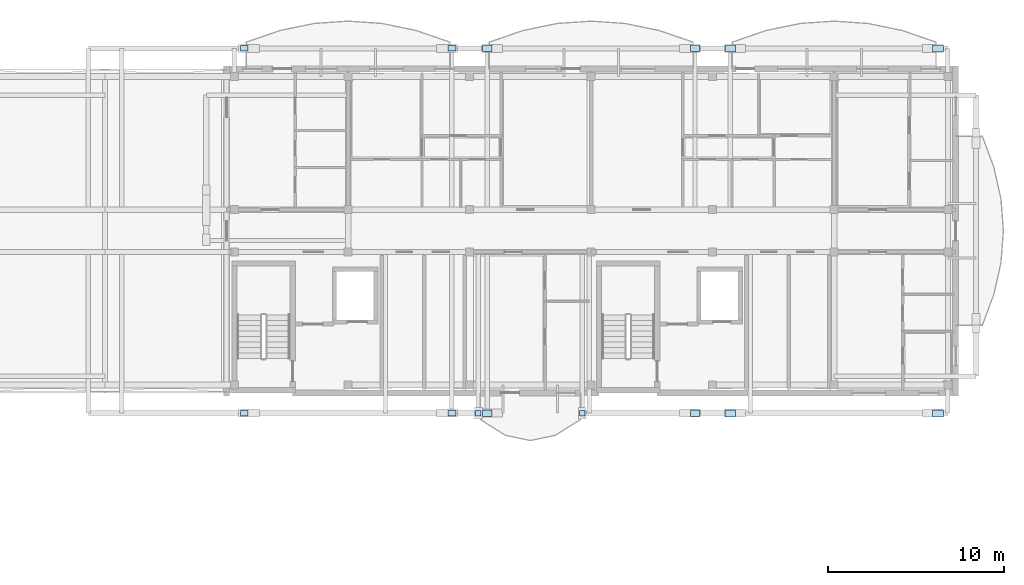
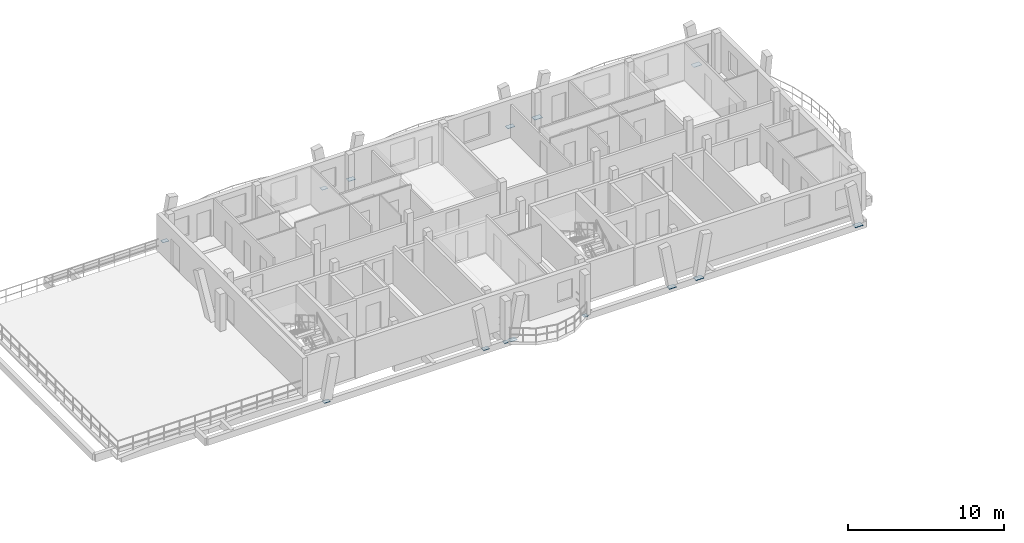
# One storey, part 13 of 44: 14 plates.
"""IFC4 building model written with IfcOpenShell, lengths in metres."""

from ifc_helpers import new_model, si_unit, direction, frame, origin, origin_2d, place, context, subcontext, project, spatial, rectangle, extrude, material, layer, layer_set, type_object, element, save


model = new_model("IFC4")

# Units and contexts
model_context = context("Model", 3, precision=1e-05, world=origin(), true_north=direction((0.0, 1.0)))
body_context = subcontext(model_context, "Body", "Model", "MODEL_VIEW")
ifc_project = project(units=[si_unit("LENGTHUNIT", "METRE"), si_unit("AREAUNIT", "SQUARE_METRE"), si_unit("VOLUMEUNIT", "CUBIC_METRE"), si_unit("PLANEANGLEUNIT", "RADIAN"), si_unit("MASSUNIT", "GRAM", prefix="KILO")], contexts=[model_context])

# Site, building, storey
site_placement = place(None, origin())
site = spatial("IfcSite", under=ifc_project, at=site_placement, CompositionType="ELEMENT")
building_placement = place(site_placement, origin())
building = spatial("IfcBuilding", under=site, at=building_placement, Name="Zavelmont Quarter", CompositionType="ELEMENT")
storey_placement = place(building_placement, frame((0.0, 0.0, 20.800048828125)))
storey = spatial("IfcBuildingStorey", under=building, at=storey_placement, Name="L06", CompositionType="ELEMENT", Elevation=20.800048828125)

# Plates
ifc_material = material(Name="Steel S355", Category="steel")
ifc_layer_1 = layer(ifc_material, 0.02490234375)
ifc_layer_set_1 = layer_set([ifc_layer_1], Name="Steel S355")
plate_type_1 = type_object("IfcPlateType", Name="NP03", PredefinedType="SHEET", material=ifc_layer_set_1)
for number, where, z_axis, x_axis, name in (
    (1, (127.60400390625, 117.162109375, -0.21240234375), (0.0, 0.0, 1.0), (1.0, 0.0, 0.0), "L06 steel connection plate NP03 at 19/S"),
    (2, (139.39599609375, 117.162109375, -0.21240234375), (0.0, 0.0, 1.0), (1.0, 0.0, 0.0), "L06 steel connection plate NP03 at 21/S"),
    (3, (127.60400390625, 96.43798828125, -0.21240234375), (0.0, 0.0, 1.0), (1.0, 0.0, 0.0), "L06 steel connection plate NP03 at 19/P"),
    (4, (139.39599609375, 96.43798828125, -0.21240234375), (0.0, 0.0, 1.0), (1.0, 0.0, 0.0), "L06 steel connection plate NP03 at 21/P"),
):
    element("IfcPlate", number, at=place(storey_placement, frame(where, z_axis=z_axis, x_axis=x_axis)), inside=storey, type_object=plate_type_1, Name=name, PredefinedType="SHEET", context=body_context, shape_type="SweptSolid", body=[
        extrude(rectangle(XDim=0.43994140625, YDim=0.320068359375, at=origin_2d()), origin(), (0.0, 0.0, 1.0), 0.02490234375),
    ])
ifc_layer_2 = layer(ifc_material, 0.028076171875)
ifc_layer_set_2 = layer_set([ifc_layer_2], Name="Steel S355")
plate_type_2 = type_object("IfcPlateType", Name="NP04", PredefinedType="SHEET", material=ifc_layer_set_2)
for number, where, z_axis, x_axis, name in (
    (5, (141.40380859375, 117.162109375, -0.2138671875), (0.0, 0.0, 1.0), (1.0, 0.0, 0.0), "L06 steel connection plate NP04 at 21/S"),
    (6, (153.196044921875, 117.162109375, -0.2138671875), (0.0, 0.0, 1.0), (1.0, 0.0, 0.0), "L06 steel connection plate NP04 at 23/S"),
    (7, (141.40380859375, 96.43798828125, -0.2138671875), (0.0, 0.0, 1.0), (1.0, 0.0, 0.0), "L06 steel connection plate NP04 at 21/P"),
    (8, (153.196044921875, 96.43798828125, -0.2138671875), (0.0, 0.0, 1.0), (1.0, 0.0, 0.0), "L06 steel connection plate NP04 at 23/P"),
):
    element("IfcPlate", number, at=place(storey_placement, frame(where, z_axis=z_axis, x_axis=x_axis)), inside=storey, type_object=plate_type_2, Name=name, PredefinedType="SHEET", context=body_context, shape_type="SweptSolid", body=[
        extrude(rectangle(XDim=0.52001953125, YDim=0.360107421875, at=origin_2d()), origin(), (0.0, 0.0, 1.0), 0.028076171875),
    ])
ifc_layer_3 = layer(ifc_material, 0.030029296875)
ifc_layer_set_3 = layer_set([ifc_layer_3], Name="Steel S355")
plate_type_3 = type_object("IfcPlateType", Name="NP05", PredefinedType="SHEET", material=ifc_layer_set_3)
for number, where, z_axis, x_axis, name in (
    (9, (155.203857421875, 117.162109375, -0.21484375), (0.0, 0.0, 1.0), (1.0, 0.0, 0.0), "L06 steel connection plate NP05 at 23/S"),
    (10, (166.99609375, 117.162109375, -0.21484375), (0.0, 0.0, 1.0), (1.0, 0.0, 0.0), "L06 steel connection plate NP05 at 25/S"),
    (11, (155.203857421875, 96.43798828125, -0.21484375), (0.0, 0.0, 1.0), (1.0, 0.0, 0.0), "L06 steel connection plate NP05 at 23/P"),
    (12, (166.99609375, 96.43798828125, -0.21484375), (0.0, 0.0, 1.0), (1.0, 0.0, 0.0), "L06 steel connection plate NP05 at 25/P"),
):
    element("IfcPlate", number, at=place(storey_placement, frame(where, z_axis=z_axis, x_axis=x_axis)), inside=storey, type_object=plate_type_3, Name=name, PredefinedType="SHEET", context=body_context, shape_type="SweptSolid", body=[
        extrude(rectangle(XDim=0.60009765625, YDim=0.39990234375, at=origin_2d()), origin(), (0.0, 0.0, 1.0), 0.030029296875),
    ])
ifc_layer_4 = layer(ifc_material, 0.02197265625)
ifc_layer_set_4 = layer_set([ifc_layer_4], Name="Steel S355")
plate_type_4 = type_object("IfcPlateType", Name="NP06", PredefinedType="SHEET", material=ifc_layer_set_4)
for number, where, z_axis, x_axis, name in (
    (13, (140.89990234375, 96.43798828125, -0.2109375), (0.0, 0.0, 1.0), (1.0, 0.0, 0.0), "L06 steel connection plate NP06 at 21/P"),
    (14, (146.800048828125, 96.43798828125, -0.2109375), (0.0, 0.0, 1.0), (1.0, 0.0, 0.0), "L06 steel connection plate NP06 at 22/P"),
):
    element("IfcPlate", number, at=place(storey_placement, frame(where, z_axis=z_axis, x_axis=x_axis)), inside=storey, type_object=plate_type_4, Name=name, PredefinedType="SHEET", context=body_context, shape_type="SweptSolid", body=[
        extrude(rectangle(XDim=0.320068359375, YDim=0.320068359375, at=origin_2d()), origin(), (0.0, 0.0, 1.0), 0.02197265625),
    ])

save(model, "model.ifc")
